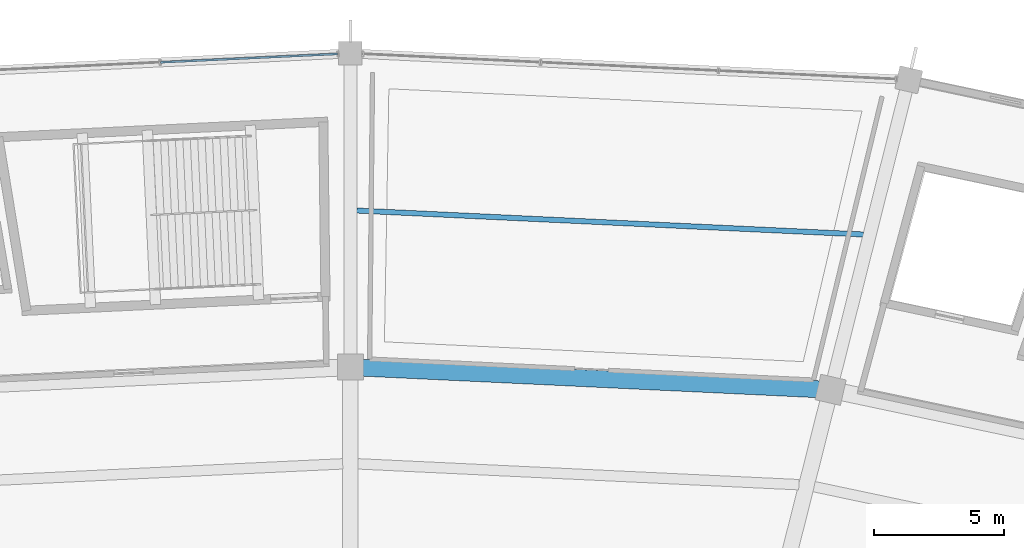
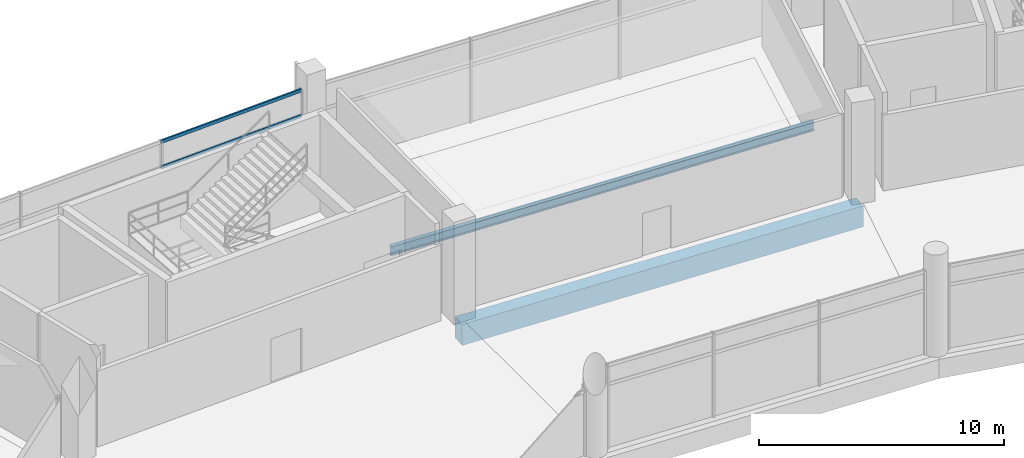
# One storey, part 121 of 184: 2 beams, 2 members, 1 element without a shape of its own.
"""IFC4 building model written with IfcOpenShell, lengths in metres."""

from ifc_helpers import new_model, si_unit, direction, frame, origin, origin_2d, place, context, subcontext, project, spatial, rectangle, hollow_rectangle, i_section, extrude, material, layer, layer_set, material_profile, profile_set, type_object, element, aggregate, save


model = new_model("IFC4")

# Units and contexts
model_context = context("Model", 3, precision=1e-05, world=origin(), true_north=direction((0.0, 1.0)))
body_context = subcontext(model_context, "Body", "Model", "MODEL_VIEW")
ifc_project = project(units=[si_unit("LENGTHUNIT", "METRE"), si_unit("AREAUNIT", "SQUARE_METRE"), si_unit("VOLUMEUNIT", "CUBIC_METRE"), si_unit("PLANEANGLEUNIT", "RADIAN"), si_unit("MASSUNIT", "GRAM", prefix="KILO")], contexts=[model_context])

# Site, building, storey
site_placement = place(None, origin())
site = spatial("IfcSite", under=ifc_project, at=site_placement, CompositionType="ELEMENT")
building_placement = place(site_placement, origin())
building = spatial("IfcBuilding", under=site, at=building_placement, Name="Kazemori Nagisa Stadium", CompositionType="ELEMENT")
storey_placement = place(building_placement, frame((0.0, 0.0, 10.5400390625)))
storey = spatial("IfcBuildingStorey", under=building, at=storey_placement, Name="L02", CompositionType="ELEMENT", Elevation=10.5400390625)

# Beams
ifc_material_1 = material(Name="Concrete C40/50 (Fc42)", Category="concrete")
ifc_material_profile_1 = material_profile(ifc_material_1, rectangle(XDim=0.64990234375, YDim=1.050048828125, at=origin_2d()), Name="RC-BM-650x1050")
ifc_profile_set_1 = profile_set([ifc_material_profile_1], Name="Concrete C40/50 (Fc42)")
beam_type_1 = type_object("IfcBeamType", Name="Beam_BG-RC650X1050", PredefinedType="BEAM", material=ifc_profile_set_1)
beam_1_placement = place(storey_placement, frame((141.427734375, 175.088623046875, -0.78515625), z_axis=(-0.9988839804, 0.047231278829, 0.0), x_axis=(-0.047231278829, -0.9988839804, 0.0)))
element("IfcBeam", 1, at=beam_1_placement, inside=storey, type_object=beam_type_1, Name="Ring girder BG-RC650X1050 L02 R2-07", PredefinedType="BEAM", context=body_context, shape_type="SweptSolid", body=[
    extrude(rectangle(XDim=0.64990234375, YDim=1.050048828125, at=origin_2d()), origin(), (0.0, 0.0, 1.0), 18.4482421875),
])
ifc_material_2 = material(Name="Steel SN490B", Category="steel")
ifc_material_profile_2 = material_profile(ifc_material_2, i_section(OverallWidth=0.199951171875, OverallDepth=0.449951171875, WebThickness=0.009033203125, FlangeThickness=0.013916015625, FilletRadius=0.012939453125, at=origin_2d()), Name="H-450x200x9x14")
ifc_profile_set_2 = profile_set([ifc_material_profile_2], Name="Steel SN490B")
beam_type_2 = type_object("IfcBeamType", Name="Beam_BJ-H450", PredefinedType="JOIST", material=ifc_profile_set_2)
beam_2_placement = place(storey_placement, frame((142.68310546875, 181.04931640625, -0.485107421875), z_axis=(-0.998883835953, 0.047234333614, 0.0), x_axis=(-0.047234333614, -0.998883835953, 0.0)))
element("IfcBeam", 2, at=beam_2_placement, inside=storey, type_object=beam_type_2, Name="Outer bay joist BJ-H450 L02 B07", PredefinedType="JOIST", context=body_context, shape_type="SweptSolid", body=[
    extrude(i_section(OverallWidth=0.199951171875, OverallDepth=0.449951171875, WebThickness=0.009033203125, FlangeThickness=0.013916015625, FilletRadius=0.012939453125, at=origin_2d()), origin(), (0.0, 0.0, 1.0), 19.460205078125),
])

# Curtain wall, members
ifc_material_3 = material(Name="Anodised aluminium 6063-T5", Category="aluminium")
ifc_layer = layer(ifc_material_3, 0.2099609375, Name="Anodised aluminium 6063-T5", Category="aluminium")
ifc_layer_set = layer_set([ifc_layer], Name="Anodised aluminium 6063-T5")
curtain_wall_type = type_object("IfcCurtainWallType", Name="CW_L02R3_103", PredefinedType="USERDEFINED", material=ifc_layer_set)
curtain_wall_placement = place(storey_placement, origin())
curtain_wall = element("IfcCurtainWall", 3, at=curtain_wall_placement, inside=storey, type_object=curtain_wall_type, Name="Unitised curtain wall CW-L02R3-103 L02", ObjectType="UNITISED CURTAIN WALL", PredefinedType="USERDEFINED")
ifc_material_4 = material(Name="Aluminium 6063-T5 anodised", Category="aluminium")
ifc_material_profile_3 = material_profile(ifc_material_4, hollow_rectangle(XDim=0.080078125, YDim=0.159912109375, WallThickness=0.00390625, at=origin_2d()), Name="ALU-TRAN-80x160x4")
ifc_profile_set_3 = profile_set([ifc_material_profile_3], Name="Aluminium 6063-T5 anodised")
member_type = type_object("IfcMemberType", Name="Transom_T02", PredefinedType="USERDEFINED", material=ifc_profile_set_3)
member_1_placement = place(storey_placement, frame((122.505615234375, 187.9765625, 2.84912109375), z_axis=(-0.998884581669, -0.047218561007, 0.0), x_axis=(0.047218561007, -0.998884581669, 0.0)))
member_1 = element("IfcMember", 4, at=member_1_placement, type_object=member_type, Name="Curtain wall transom CW-L02R3-103-T1-mid", ObjectType="TRANSOM", PredefinedType="USERDEFINED", context=body_context, shape_type="SweptSolid", body=[
    extrude(hollow_rectangle(XDim=0.080078125, YDim=0.159912109375, WallThickness=0.00390625, at=origin_2d()), origin(), (0.0, 0.0, 1.0), 6.7939453125),
])
member_2_placement = place(storey_placement, frame((122.505615234375, 187.9765625, 4.119873046875), z_axis=(-0.998884581669, -0.047218561007, 0.0), x_axis=(0.047218561007, -0.998884581669, 0.0)))
member_2 = element("IfcMember", 5, at=member_2_placement, type_object=member_type, Name="Curtain wall transom CW-L02R3-103-T1-head", ObjectType="TRANSOM", PredefinedType="USERDEFINED", context=body_context, shape_type="SweptSolid", body=[
    extrude(hollow_rectangle(XDim=0.080078125, YDim=0.159912109375, WallThickness=0.00390625, at=origin_2d()), origin(), (0.0, 0.0, 1.0), 6.7939453125),
])
aggregate(curtain_wall, [member_1, member_2])

save(model, "model.ifc")
